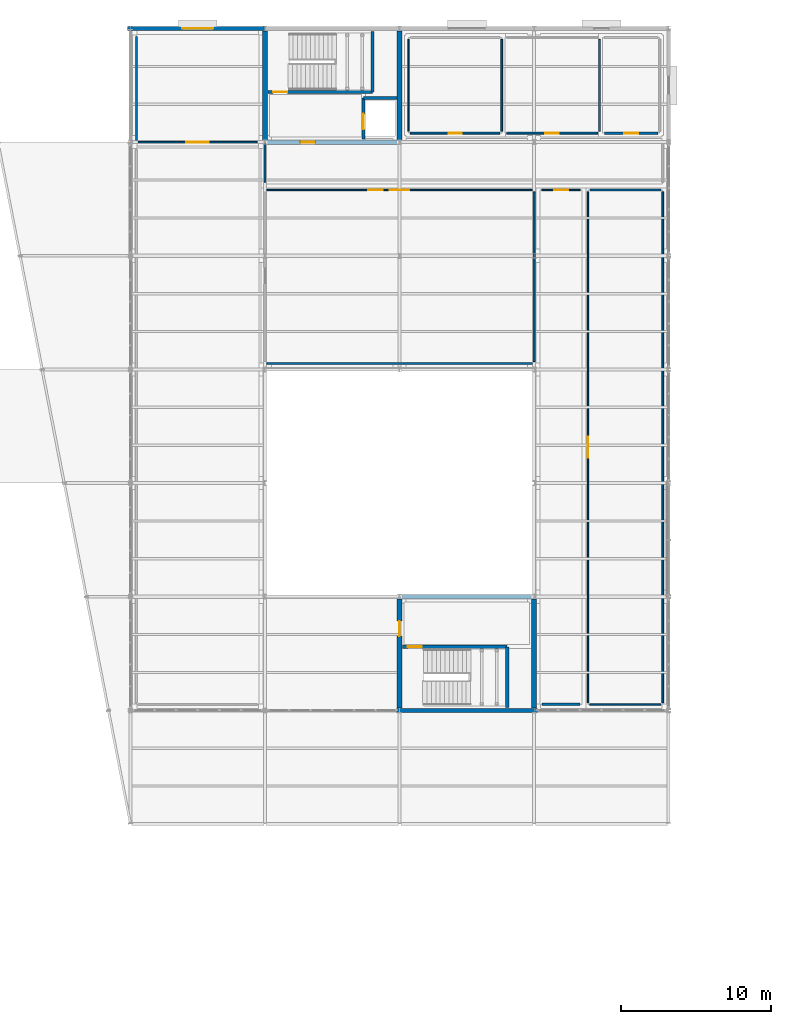
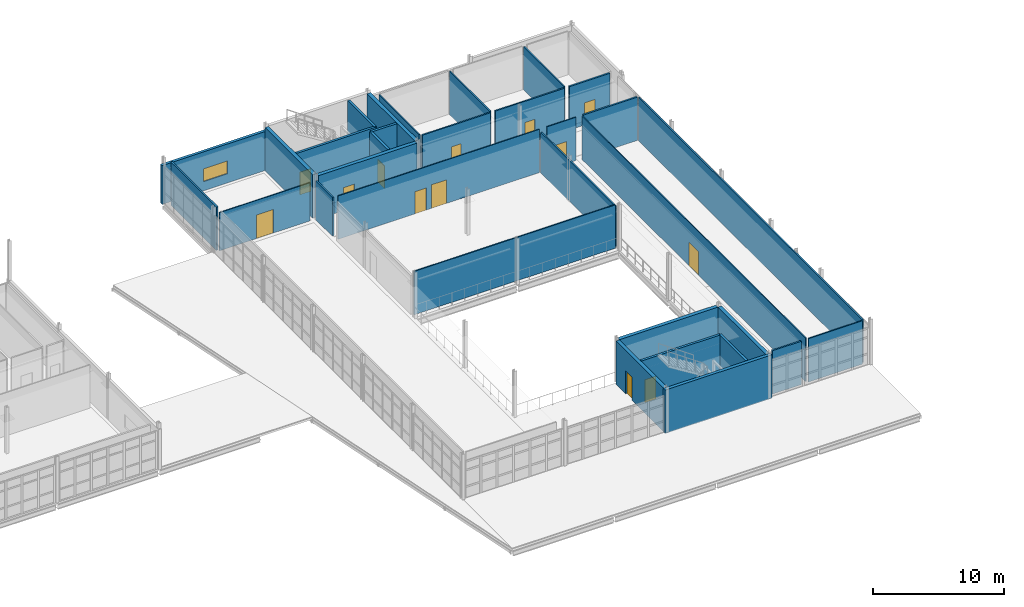
# One storey, part 90 of 96: 32 walls, 13 doors, 1 window, 14 openings.
"""IFC4 building model written with IfcOpenShell, lengths in metres."""

from ifc_helpers import new_model, si_unit, direction, frame, frame_2d, origin, place, context, subcontext, project, spatial, rectangle, extrude, material, layer, layer_set, type_object, element, fill, save


model = new_model("IFC4")

# Units and contexts
model_context = context("Model", 3, precision=1e-05, world=origin(), true_north=direction((0.0, 1.0)))
body_context = subcontext(model_context, "Body", "Model", "MODEL_VIEW")
ifc_project = project(units=[si_unit("LENGTHUNIT", "METRE"), si_unit("AREAUNIT", "SQUARE_METRE"), si_unit("VOLUMEUNIT", "CUBIC_METRE"), si_unit("PLANEANGLEUNIT", "RADIAN"), si_unit("MASSUNIT", "GRAM", prefix="KILO")], contexts=[model_context])

# Site, building, storey
site_placement = place(None, origin())
site = spatial("IfcSite", under=ifc_project, at=site_placement, CompositionType="ELEMENT")
building_placement = place(site_placement, origin())
building = spatial("IfcBuilding", under=site, at=building_placement, Name="Caisbarro Railhouse Central Library", CompositionType="ELEMENT")
storey_placement = place(building_placement, frame((0.0, 0.0, 13.679931640625)))
storey = spatial("IfcBuildingStorey", under=building, at=storey_placement, Name="L03", CompositionType="ELEMENT", Elevation=13.679931640625)

# Wall, opening, door
ifc_material_1 = material(Name="Concrete C40", Category="concrete")
ifc_layer_1 = layer(ifc_material_1, 0.320068359375, Name="Concrete C40")
ifc_layer_set_1 = layer_set([ifc_layer_1], Name="Concrete C40")
wall_type_1 = type_object("IfcWallType", Name="WAL-CW32", PredefinedType="SHEAR", material=ifc_layer_set_1)
wall_1_placement = place(storey_placement, frame((126.159912109375, 106.39990234375, 0.0), z_axis=(0.0, 0.0, 1.0), x_axis=(1.0, 0.0, 0.0)))
wall_1 = element("IfcWall", 1, at=wall_1_placement, inside=storey, type_object=wall_type_1, Name="CW32 RC core shear wall L03 #49", PredefinedType="SHEAR", context=body_context, shape_type="SweptSolid", body=[
    extrude(rectangle(XDim=8.68017578125, YDim=0.320068359375, at=frame_2d((4.340087890625, 0.0))), origin(), (0.0, 0.0, 1.0), 4.0400390625),
])
opening_1_placement = place(wall_1_placement, frame((2.199951171875, 0.0, 0.0)))
opening_1 = element("IfcOpeningElement", 2, at=opening_1_placement, cuts=wall_1, Name="Opening FD05", PredefinedType="OPENING", context=body_context, shape_type="SweptSolid", body=[
    extrude(rectangle(XDim=1.0, YDim=2.14990234375, at=frame_2d((0.5, 1.074951171875))), frame((0.0, 0.169921875, 0.0), z_axis=(0.0, -1.0, 0.0), x_axis=(1.0, 0.0, 0.0)), (0.0, 0.0, 1.0), 0.340087890625),
])
ifc_material_2 = material(Name="Fire-rated painted galvanised steel", Category="steel")
door_type_1 = type_object("IfcDoorType", Name="DR-FD05", OperationType="NOTDEFINED", PredefinedType="DOOR", material=ifc_material_2)
door_1_placement = place(opening_1_placement, origin())
door_1 = element("IfcDoor", 3, at=door_1_placement, inside=storey, type_object=door_type_1, Name="Core K3 Lobby Door FD05 L03-096", OperationType="SINGLE_SWING_RIGHT", OverallHeight=2.14990234375, OverallWidth=1.0, PredefinedType="DOOR", context=body_context, shape_type="SweptSolid", body=[
    extrude(rectangle(XDim=1.0, YDim=2.14990234375, at=frame_2d((0.5, 1.074951171875))), frame((0.0, 0.02490234375, 0.0), z_axis=(0.0, -1.0, 0.0), x_axis=(1.0, 0.0, 0.0)), (0.0, 0.0, 1.0), 0.050048828125),
])
fill(opening_1, door_1)

# Walls
for number, where, z_axis, x_axis, name in (
    (4, (126.0, 106.56005859375, 0.0), (0.0, 0.0, 1.0), (0.0, 1.0, 0.0), "CW32 RC core shear wall L03 #50"),
    (5, (135.0, 106.56005859375, 0.0), (0.0, 0.0, 1.0), (0.0, 1.0, 0.0), "CW32 RC core shear wall L03 #51"),
):
    element("IfcWall", number, at=place(storey_placement, frame(where, z_axis=z_axis, x_axis=x_axis)), inside=storey, type_object=wall_type_1, Name=name, PredefinedType="SHEAR", context=body_context, shape_type="SweptSolid", body=[
        extrude(rectangle(XDim=7.280029296875, YDim=0.320068359375, at=frame_2d((3.64013671875, 0.0))), origin(), (0.0, 0.0, 1.0), 4.0400390625),
    ])
wall_2_placement = place(storey_placement, frame((135.159912109375, 76.0, 0.0), z_axis=(0.0, 0.0, 1.0), x_axis=(1.0, 0.0, 0.0)))
element("IfcWall", 6, at=wall_2_placement, inside=storey, type_object=wall_type_1, Name="CW32 RC core shear wall L03 #102", PredefinedType="SHEAR", context=body_context, shape_type="SweptSolid", body=[
    extrude(rectangle(XDim=8.68017578125, YDim=0.320068359375, at=frame_2d((4.340087890625, 0.0))), origin(), (0.0, 0.0, 1.0), 4.0400390625),
])

# Wall, opening, door
wall_3_placement = place(storey_placement, frame((135.0, 68.56005859375, 0.0), z_axis=(0.0, 0.0, 1.0), x_axis=(0.0, 1.0, 0.0)))
wall_3 = element("IfcWall", 7, at=wall_3_placement, inside=storey, type_object=wall_type_1, Name="CW32 RC core shear wall L03 #103", PredefinedType="SHEAR", context=body_context, shape_type="SweptSolid", body=[
    extrude(rectangle(XDim=7.280029296875, YDim=0.320068359375, at=frame_2d((3.64013671875, 0.0))), origin(), (0.0, 0.0, 1.0), 4.0400390625),
])
opening_2_placement = place(wall_3_placement, frame((4.800048828125, 0.0, 0.0)))
opening_2 = element("IfcOpeningElement", 8, at=opening_2_placement, cuts=wall_3, Name="Opening FD05", PredefinedType="OPENING", context=body_context, shape_type="SweptSolid", body=[
    extrude(rectangle(XDim=1.0, YDim=2.14990234375, at=frame_2d((0.5, 1.074951171875))), frame((0.0, 0.169921875, 0.0), z_axis=(0.0, -1.0, 0.0), x_axis=(1.0, 0.0, 0.0)), (0.0, 0.0, 1.0), 0.340087890625),
])
door_2_placement = place(opening_2_placement, origin())
door_2 = element("IfcDoor", 9, at=door_2_placement, inside=storey, type_object=door_type_1, Name="Core K7 Lobby Door FD05 L03-134", OperationType="SINGLE_SWING_LEFT", OverallHeight=2.14990234375, OverallWidth=1.0, PredefinedType="DOOR", context=body_context, shape_type="SweptSolid", body=[
    extrude(rectangle(XDim=1.0, YDim=2.14990234375, at=frame_2d((0.5, 1.074951171875))), frame((0.0, 0.02490234375, 0.0), z_axis=(0.0, -1.0, 0.0), x_axis=(1.0, 0.0, 0.0)), (0.0, 0.0, 1.0), 0.050048828125),
])
fill(opening_2, door_2)

# Wall
wall_4_placement = place(storey_placement, frame((144.0, 68.56005859375, 0.0), z_axis=(0.0, 0.0, 1.0), x_axis=(0.0, 1.0, 0.0)))
element("IfcWall", 10, at=wall_4_placement, inside=storey, type_object=wall_type_1, Name="CW32 RC core shear wall L03 #104", PredefinedType="SHEAR", context=body_context, shape_type="SweptSolid", body=[
    extrude(rectangle(XDim=7.280029296875, YDim=0.320068359375, at=frame_2d((3.64013671875, 0.0))), origin(), (0.0, 0.0, 1.0), 4.0400390625),
])

# Wall, opening, window
ifc_material_3 = material(Name="Concrete C35 insulated architectural precast", Category="concrete")
ifc_layer_2 = layer(ifc_material_3, 0.239990234375, Name="Concrete C35 insulated architectural precast")
ifc_layer_set_2 = layer_set([ifc_layer_2], Name="Concrete C35 insulated architectural precast")
wall_type_2 = type_object("IfcWallType", Name="WAL-EW24", PredefinedType="STANDARD", material=ifc_layer_set_2)
wall_5_placement = place(storey_placement, frame((116.7900390625, 114.0, 0.0), z_axis=(0.0, 0.0, 1.0), x_axis=(1.0, 0.0, 0.0)))
wall_5 = element("IfcWall", 11, at=wall_5_placement, inside=storey, type_object=wall_type_2, Name="EW24 exterior wall L03 #218", PredefinedType="STANDARD", context=body_context, shape_type="SweptSolid", body=[
    extrude(rectangle(XDim=9.2099609375, YDim=0.239990234375, at=frame_2d((4.60498046875, 0.0))), origin(), (0.0, 0.0, 1.0), 3.631103515625),
])
opening_3_placement = place(wall_5_placement, frame((3.659912109375, 0.0, 0.85009765625)))
opening_3 = element("IfcOpeningElement", 12, at=opening_3_placement, cuts=wall_5, Name="Opening W08", PredefinedType="OPENING", context=body_context, shape_type="SweptSolid", body=[
    extrude(rectangle(XDim=2.10009765625, YDim=1.199951171875, at=frame_2d((1.050048828125, 0.60009765625))), frame((0.0, 0.1298828125, 0.0), z_axis=(0.0, -1.0, 0.0), x_axis=(1.0, 0.0, 0.0)), (0.0, 0.0, 1.0), 0.260009765625),
])
ifc_material_4 = material(Name="Double low-e laminated solar-control glass", Category="glass")
window_type = type_object("IfcWindowType", Name="WIN-W08", PartitioningType="SINGLE_PANEL", PredefinedType="WINDOW", material=ifc_material_4)
window_placement = place(opening_3_placement, origin())
window = element("IfcWindow", 13, at=window_placement, inside=storey, type_object=window_type, Name="W08 window L03-076", OverallHeight=1.199951171875, OverallWidth=2.10009765625, PartitioningType="SINGLE_PANEL", PredefinedType="WINDOW", context=body_context, shape_type="SweptSolid", body=[
    extrude(rectangle(XDim=2.10009765625, YDim=1.199951171875, at=frame_2d((1.050048828125, 0.60009765625))), frame((0.0, 0.030029296875, 0.0), z_axis=(0.0, -1.0, 0.0), x_axis=(1.0, 0.0, 0.0)), (0.0, 0.0, 1.0), 0.06005859375),
])
fill(opening_3, window)

# Wall
ifc_layer_3 = layer(ifc_material_1, 0.280029296875, Name="Concrete C40")
ifc_layer_set_3 = layer_set([ifc_layer_3], Name="Concrete C40")
wall_type_3 = type_object("IfcWallType", Name="WAL-EW28", PredefinedType="SOLIDWALL", material=ifc_layer_set_3)
wall_6_placement = place(storey_placement, frame((134.7900390625, 68.39990234375, 0.0), z_axis=(0.0, 0.0, 1.0), x_axis=(1.0, 0.0, 0.0)))
element("IfcWall", 14, at=wall_6_placement, inside=storey, type_object=wall_type_3, Name="EW28 exterior wall L03 #220", PredefinedType="SOLIDWALL", context=body_context, shape_type="SweptSolid", body=[
    extrude(rectangle(XDim=9.419921875, YDim=0.280029296875, at=frame_2d((4.7099609375, 0.0))), origin(), (0.0, 0.0, 1.0), 4.06005859375),
])

# Wall, openings, doors
ifc_material_5 = material(Name="Acoustic gypsum board on galvanised steel studs", Category="steel")
ifc_layer_4 = layer(ifc_material_5, 0.090087890625, Name="Acoustic gypsum board on galvanised steel studs")
ifc_layer_set_4 = layer_set([ifc_layer_4], Name="Acoustic gypsum board on galvanised steel studs")
wall_type_4 = type_object("IfcWallType", Name="WAL-IW09", PredefinedType="PARTITIONING", material=ifc_layer_set_4)
wall_7_placement = place(storey_placement, frame((126.1201171875, 103.199951171875, 0.0), z_axis=(0.0, 0.0, 1.0), x_axis=(1.0, 0.0, 0.0)))
wall_7 = element("IfcWall", 15, at=wall_7_placement, inside=storey, type_object=wall_type_4, Name="IW09 partition wall L03 #572", PredefinedType="PARTITIONING", context=body_context, shape_type="SweptSolid", body=[
    extrude(rectangle(XDim=17.759765625, YDim=0.090087890625, at=frame_2d((8.8798828125, 0.0))), origin(), (0.0, 0.0, 1.0), 4.0400390625),
])
opening_4_placement = place(wall_7_placement, frame((8.219970703125, 0.0, 0.0)))
opening_4 = element("IfcOpeningElement", 16, at=opening_4_placement, cuts=wall_7, Name="Opening ID46", PredefinedType="OPENING", context=body_context, shape_type="SweptSolid", body=[
    extrude(rectangle(XDim=1.320068359375, YDim=2.199951171875, at=frame_2d((0.66015625, 1.10009765625))), frame((0.0, 0.05517578125, 0.0), z_axis=(0.0, -1.0, 0.0), x_axis=(1.0, 0.0, 0.0)), (0.0, 0.0, 1.0), 0.110107421875),
])
opening_5_placement = place(wall_7_placement, frame((6.7900390625, 0.0, 0.0)))
opening_5 = element("IfcOpeningElement", 17, at=opening_5_placement, cuts=wall_7, Name="Opening ID04", PredefinedType="OPENING", context=body_context, shape_type="SweptSolid", body=[
    extrude(rectangle(XDim=0.97998046875, YDim=2.06005859375, at=frame_2d((0.489990234375, 1.030029296875))), frame((0.0, 0.05517578125, 0.0), z_axis=(0.0, -1.0, 0.0), x_axis=(1.0, 0.0, 0.0)), (0.0, 0.0, 1.0), 0.110107421875),
])
ifc_material_6 = material(Name="Solid-core tropical hardwood veneer", Category="wood")
door_type_2 = type_object("IfcDoorType", Name="DR-ID04", OperationType="NOTDEFINED", PredefinedType="DOOR", material=ifc_material_6)
door_3_placement = place(opening_5_placement, origin())
door_3 = element("IfcDoor", 18, at=door_3_placement, inside=storey, type_object=door_type_2, Name="Atrium North WC Corridor L03 Door ID04 L03-332", OperationType="SINGLE_SWING_RIGHT", OverallHeight=2.06005859375, OverallWidth=0.97998046875, PredefinedType="DOOR", context=body_context, shape_type="SweptSolid", body=[
    extrude(rectangle(XDim=0.97998046875, YDim=2.06005859375, at=frame_2d((0.489990234375, 1.030029296875))), frame((0.0, 0.02490234375, 0.0), z_axis=(0.0, -1.0, 0.0), x_axis=(1.0, 0.0, 0.0)), (0.0, 0.0, 1.0), 0.050048828125),
])
fill(opening_5, door_3)
door_type_3 = type_object("IfcDoorType", Name="DR-ID46", OperationType="NOTDEFINED", PredefinedType="DOOR", material=ifc_material_6)
door_4_placement = place(opening_4_placement, origin())
door_4 = element("IfcDoor", 19, at=door_4_placement, inside=storey, type_object=door_type_3, Name="Special Collections Reading Room Door ID46 L03-320", OperationType="SINGLE_SWING_RIGHT", OverallHeight=2.199951171875, OverallWidth=1.320068359375, PredefinedType="DOOR", context=body_context, shape_type="SweptSolid", body=[
    extrude(rectangle(XDim=1.320068359375, YDim=2.199951171875, at=frame_2d((0.66015625, 1.10009765625))), frame((0.0, 0.02490234375, 0.0), z_axis=(0.0, -1.0, 0.0), x_axis=(1.0, 0.0, 0.0)), (0.0, 0.0, 1.0), 0.050048828125),
])
fill(opening_4, door_4)

# Wall, opening, door
wall_8_placement = place(storey_placement, frame((147.60009765625, 68.919921875, 0.0), z_axis=(0.0, 0.0, 1.0), x_axis=(0.0, 1.0, 0.0)))
wall_8 = element("IfcWall", 20, at=wall_8_placement, inside=storey, type_object=wall_type_4, Name="IW09 partition wall L03 #576", PredefinedType="PARTITIONING", context=body_context, shape_type="SweptSolid", body=[
    extrude(rectangle(XDim=34.16015625, YDim=0.090087890625, at=frame_2d((17.080078125, 0.0))), origin(), (0.0, 0.0, 1.0), 4.0400390625),
])
opening_6_placement = place(wall_8_placement, frame((16.3701171875, 0.0, 0.0)))
opening_6 = element("IfcOpeningElement", 21, at=opening_6_placement, cuts=wall_8, Name="Opening ID47", PredefinedType="OPENING", context=body_context, shape_type="SweptSolid", body=[
    extrude(rectangle(XDim=1.419921875, YDim=2.199951171875, at=frame_2d((0.7099609375, 1.10009765625))), frame((0.0, 0.05517578125, 0.0), z_axis=(0.0, -1.0, 0.0), x_axis=(1.0, 0.0, 0.0)), (0.0, 0.0, 1.0), 0.110107421875),
])
door_type_4 = type_object("IfcDoorType", Name="DR-ID47", OperationType="NOTDEFINED", PredefinedType="DOOR", material=ifc_material_6)
door_5_placement = place(opening_6_placement, origin())
door_5 = element("IfcDoor", 22, at=door_5_placement, inside=storey, type_object=door_type_4, Name="Doctoral Research Suites L03 Door ID47 L03-321", OperationType="SINGLE_SWING_LEFT", OverallHeight=2.199951171875, OverallWidth=1.419921875, PredefinedType="DOOR", context=body_context, shape_type="SweptSolid", body=[
    extrude(rectangle(XDim=1.419921875, YDim=2.199951171875, at=frame_2d((0.7099609375, 1.10009765625))), frame((0.0, 0.02490234375, 0.0), z_axis=(0.0, -1.0, 0.0), x_axis=(1.0, 0.0, 0.0)), (0.0, 0.0, 1.0), 0.050048828125),
])
fill(opening_6, door_5)

wall_9_placement = place(storey_placement, frame((117.52001953125, 106.39990234375, 0.0), z_axis=(0.0, 0.0, 1.0), x_axis=(1.0, 0.0, 0.0)))
wall_9 = element("IfcWall", 23, at=wall_9_placement, inside=storey, type_object=wall_type_4, Name="IW09 partition wall L03 #580", PredefinedType="PARTITIONING", context=body_context, shape_type="SweptSolid", body=[
    extrude(rectangle(XDim=7.9599609375, YDim=0.090087890625, at=frame_2d((3.97998046875, 0.0))), origin(), (0.0, 0.0, 1.0), 3.55517578125),
])
opening_7_placement = place(wall_9_placement, frame((3.22998046875, 0.0, 0.0)))
opening_7 = element("IfcOpeningElement", 24, at=opening_7_placement, cuts=wall_9, Name="Opening ID48", PredefinedType="OPENING", context=body_context, shape_type="SweptSolid", body=[
    extrude(rectangle(XDim=1.5, YDim=2.199951171875, at=frame_2d((0.75, 1.10009765625))), frame((0.0, 0.05517578125, 0.0), z_axis=(0.0, -1.0, 0.0), x_axis=(1.0, 0.0, 0.0)), (0.0, 0.0, 1.0), 0.110107421875),
])
door_type_5 = type_object("IfcDoorType", Name="DR-ID48", OperationType="NOTDEFINED", PredefinedType="DOOR", material=ifc_material_6)
door_6_placement = place(opening_7_placement, origin())
door_6 = element("IfcDoor", 25, at=door_6_placement, inside=storey, type_object=door_type_5, Name="Manuscript Consultation Room Door ID48 L03-322", OperationType="SINGLE_SWING_RIGHT", OverallHeight=2.199951171875, OverallWidth=1.5, PredefinedType="DOOR", context=body_context, shape_type="SweptSolid", body=[
    extrude(rectangle(XDim=1.5, YDim=2.199951171875, at=frame_2d((0.75, 1.10009765625))), frame((0.0, 0.02490234375, 0.0), z_axis=(0.0, -1.0, 0.0), x_axis=(1.0, 0.0, 0.0)), (0.0, 0.0, 1.0), 0.050048828125),
])
fill(opening_7, door_6)

# Wall
wall_10_placement = place(storey_placement, frame((135.60009765625, 107.1201171875, 0.0), z_axis=(0.0, 0.0, 1.0), x_axis=(0.0, 1.0, 0.0)))
element("IfcWall", 26, at=wall_10_placement, inside=storey, type_object=wall_type_4, Name="IW09 partition wall L03 #584", PredefinedType="PARTITIONING", context=body_context, shape_type="SweptSolid", body=[
    extrude(rectangle(XDim=6.159912109375, YDim=0.090087890625, at=frame_2d((3.080078125, 0.0))), origin(), (0.0, 0.0, 1.0), 4.0400390625),
])

# Wall, opening, door
wall_11_placement = place(storey_placement, frame((144.52001953125, 103.199951171875, 0.0), z_axis=(0.0, 0.0, 1.0), x_axis=(1.0, 0.0, 0.0)))
wall_11 = element("IfcWall", 27, at=wall_11_placement, inside=storey, type_object=wall_type_4, Name="IW09 partition wall L03 #600", PredefinedType="PARTITIONING", context=body_context, shape_type="SweptSolid", body=[
    extrude(rectangle(XDim=2.56005859375, YDim=0.090087890625, at=frame_2d((1.280029296875, 0.0))), origin(), (0.0, 0.0, 1.0), 4.0400390625),
])
opening_8_placement = place(wall_11_placement, frame((0.81005859375, 0.0, 0.0)))
opening_8 = element("IfcOpeningElement", 28, at=opening_8_placement, cuts=wall_11, Name="Opening ID03", PredefinedType="OPENING", context=body_context, shape_type="SweptSolid", body=[
    extrude(rectangle(XDim=0.93994140625, YDim=2.06005859375, at=frame_2d((0.469970703125, 1.030029296875))), frame((0.0, 0.05517578125, 0.0), z_axis=(0.0, -1.0, 0.0), x_axis=(1.0, 0.0, 0.0)), (0.0, 0.0, 1.0), 0.110107421875),
])
door_type_6 = type_object("IfcDoorType", Name="DR-ID03", OperationType="NOTDEFINED", PredefinedType="DOOR", material=ifc_material_6)
door_7_placement = place(opening_8_placement, origin())
door_7 = element("IfcDoor", 29, at=door_7_placement, inside=storey, type_object=door_type_6, Name="Atrium East Corridor L03 Door ID03 L03-331", OperationType="SINGLE_SWING_LEFT", OverallHeight=2.06005859375, OverallWidth=0.93994140625, PredefinedType="DOOR", context=body_context, shape_type="SweptSolid", body=[
    extrude(rectangle(XDim=0.93994140625, YDim=2.06005859375, at=frame_2d((0.469970703125, 1.030029296875))), frame((0.0, 0.02490234375, 0.0), z_axis=(0.0, -1.0, 0.0), x_axis=(1.0, 0.0, 0.0)), (0.0, 0.0, 1.0), 0.050048828125),
])
fill(opening_8, door_7)

# Walls
ifc_layer_5 = layer(ifc_material_5, 0.110107421875, Name="Acoustic gypsum board on galvanised steel studs")
ifc_layer_set_5 = layer_set([ifc_layer_5], Name="Acoustic gypsum board on galvanised steel studs")
wall_type_5 = type_object("IfcWallType", Name="WAL-IW11", PredefinedType="PARTITIONING", material=ifc_layer_set_5)
wall_12_placement = place(storey_placement, frame((126.1201171875, 91.60009765625, 0.0), z_axis=(0.0, 0.0, 1.0), x_axis=(1.0, 0.0, 0.0)))
element("IfcWall", 30, at=wall_12_placement, inside=storey, type_object=wall_type_5, Name="IW11 partition wall L03 #575", PredefinedType="PARTITIONING", context=body_context, shape_type="SweptSolid", body=[
    extrude(rectangle(XDim=17.759765625, YDim=0.110107421875, at=frame_2d((8.8798828125, 0.0))), origin(), (0.0, 0.0, 1.0), 4.0400390625),
])
wall_13_placement = place(storey_placement, frame((147.719970703125, 68.800048828125, 0.0), z_axis=(0.0, 0.0, 1.0), x_axis=(1.0, 0.0, 0.0)))
element("IfcWall", 31, at=wall_13_placement, inside=storey, type_object=wall_type_5, Name="IW11 partition wall L03 #579", PredefinedType="PARTITIONING", context=body_context, shape_type="SweptSolid", body=[
    extrude(rectangle(XDim=4.760009765625, YDim=0.110107421875, at=frame_2d((2.3798828125, 0.0))), origin(), (0.0, 0.0, 1.0), 4.0400390625),
])
for number, where, z_axis, x_axis, name in (
    (32, (141.8359375, 107.1201171875, 0.0), (0.0, 0.0, 1.0), (0.0, 1.0, 0.0), "IW11 partition wall L03 #583"),
    (33, (148.3720703125, 107.1201171875, 0.0), (0.0, 0.0, 1.0), (0.0, 1.0, 0.0), "IW11 partition wall L03 #587"),
):
    element("IfcWall", number, at=place(storey_placement, frame(where, z_axis=z_axis, x_axis=x_axis)), inside=storey, type_object=wall_type_5, Name=name, PredefinedType="PARTITIONING", context=body_context, shape_type="SweptSolid", body=[
        extrude(rectangle(XDim=6.159912109375, YDim=0.110107421875, at=frame_2d((3.080078125, 0.0))), origin(), (0.0, 0.0, 1.0), 4.0400390625),
    ])
ifc_layer_6 = layer(ifc_material_5, 0.1298828125, Name="Acoustic gypsum board on galvanised steel studs")
ifc_layer_set_6 = layer_set([ifc_layer_6], Name="Acoustic gypsum board on galvanised steel studs")
wall_type_6 = type_object("IfcWallType", Name="WAL-IW13", PredefinedType="PARTITIONING", material=ifc_layer_set_6)
wall_14_placement = place(storey_placement, frame((144.0, 91.719970703125, 0.0), z_axis=(0.0, 0.0, 1.0), x_axis=(0.0, 1.0, 0.0)))
element("IfcWall", 34, at=wall_14_placement, inside=storey, type_object=wall_type_6, Name="IW13 partition wall L03 #574", PredefinedType="PARTITIONING", context=body_context, shape_type="SweptSolid", body=[
    extrude(rectangle(XDim=11.360107421875, YDim=0.1298828125, at=frame_2d((5.68017578125, 0.0))), origin(), (0.0, 0.0, 1.0), 3.7880859375),
])
wall_15_placement = place(storey_placement, frame((152.60009765625, 68.919921875, 0.0), z_axis=(0.0, 0.0, 1.0), x_axis=(0.0, 1.0, 0.0)))
element("IfcWall", 35, at=wall_15_placement, inside=storey, type_object=wall_type_6, Name="IW13 partition wall L03 #578", PredefinedType="PARTITIONING", context=body_context, shape_type="SweptSolid", body=[
    extrude(rectangle(XDim=34.16015625, YDim=0.1298828125, at=frame_2d((17.080078125, 0.0))), origin(), (0.0, 0.0, 1.0), 4.0400390625),
])

# Wall, opening, door
wall_16_placement = place(storey_placement, frame((135.719970703125, 107.0, 0.0), z_axis=(0.0, 0.0, 1.0), x_axis=(1.0, 0.0, 0.0)))
wall_16 = element("IfcWall", 36, at=wall_16_placement, inside=storey, type_object=wall_type_6, Name="IW13 partition wall L03 #582", PredefinedType="PARTITIONING", context=body_context, shape_type="SweptSolid", body=[
    extrude(rectangle(XDim=5.99609375, YDim=0.1298828125, at=frame_2d((2.998046875, 0.0))), origin(), (0.0, 0.0, 1.0), 4.0400390625),
])
opening_9_placement = place(wall_16_placement, frame((2.568115234375, 0.0, 0.0)))
opening_9 = element("IfcOpeningElement", 37, at=opening_9_placement, cuts=wall_16, Name="Opening ID01", PredefinedType="OPENING", context=body_context, shape_type="SweptSolid", body=[
    extrude(rectangle(XDim=0.860107421875, YDim=2.06005859375, at=frame_2d((0.43017578125, 1.030029296875))), frame((0.0, 0.074951171875, 0.0), z_axis=(0.0, -1.0, 0.0), x_axis=(1.0, 0.0, 0.0)), (0.0, 0.0, 1.0), 0.14990234375),
])
door_type_7 = type_object("IfcDoorType", Name="DR-ID01", OperationType="NOTDEFINED", PredefinedType="DOOR", material=ifc_material_6)
door_8_placement = place(opening_9_placement, origin())
door_8 = element("IfcDoor", 38, at=door_8_placement, inside=storey, type_object=door_type_7, Name="Male WC L03-V4 Door ID01 L03-323", OperationType="SINGLE_SWING_LEFT", OverallHeight=2.06005859375, OverallWidth=0.860107421875, PredefinedType="DOOR", context=body_context, shape_type="SweptSolid", body=[
    extrude(rectangle(XDim=0.860107421875, YDim=2.06005859375, at=frame_2d((0.43017578125, 1.030029296875))), frame((0.0, 0.02490234375, 0.0), z_axis=(0.0, -1.0, 0.0), x_axis=(1.0, 0.0, 0.0)), (0.0, 0.0, 1.0), 0.050048828125),
])
fill(opening_9, door_8)

wall_17_placement = place(storey_placement, frame((142.156005859375, 107.0, 0.0), z_axis=(0.0, 0.0, 1.0), x_axis=(1.0, 0.0, 0.0)))
wall_17 = element("IfcWall", 39, at=wall_17_placement, inside=storey, type_object=wall_type_6, Name="IW13 partition wall L03 #586", PredefinedType="PARTITIONING", context=body_context, shape_type="SweptSolid", body=[
    extrude(rectangle(XDim=6.095947265625, YDim=0.1298828125, at=frame_2d((3.0478515625, 0.0))), origin(), (0.0, 0.0, 1.0), 4.0400390625),
])
opening_10_placement = place(wall_17_placement, frame((2.597900390625, 0.0, 0.0)))
opening_10 = element("IfcOpeningElement", 40, at=opening_10_placement, cuts=wall_17, Name="Opening ID02", PredefinedType="OPENING", context=body_context, shape_type="SweptSolid", body=[
    extrude(rectangle(XDim=0.89990234375, YDim=2.06005859375, at=frame_2d((0.449951171875, 1.030029296875))), frame((0.0, 0.074951171875, 0.0), z_axis=(0.0, -1.0, 0.0), x_axis=(1.0, 0.0, 0.0)), (0.0, 0.0, 1.0), 0.14990234375),
])
door_type_8 = type_object("IfcDoorType", Name="DR-ID02", OperationType="NOTDEFINED", PredefinedType="DOOR", material=ifc_material_6)
door_9_placement = place(opening_10_placement, origin())
door_9 = element("IfcDoor", 41, at=door_9_placement, inside=storey, type_object=door_type_8, Name="Female WC L03-V4 Door ID02 L03-324", OperationType="SINGLE_SWING_RIGHT", OverallHeight=2.06005859375, OverallWidth=0.89990234375, PredefinedType="DOOR", context=body_context, shape_type="SweptSolid", body=[
    extrude(rectangle(XDim=0.89990234375, YDim=2.06005859375, at=frame_2d((0.449951171875, 1.030029296875))), frame((0.0, 0.02490234375, 0.0), z_axis=(0.0, -1.0, 0.0), x_axis=(1.0, 0.0, 0.0)), (0.0, 0.0, 1.0), 0.050048828125),
])
fill(opening_10, door_9)

# Walls
wall_18_placement = place(storey_placement, frame((126.0, 103.719970703125, 0.0), z_axis=(0.0, 0.0, 1.0), x_axis=(0.0, 1.0, 0.0)))
element("IfcWall", 42, at=wall_18_placement, inside=storey, type_object=wall_type_6, Name="IW13 partition wall L03 #602", PredefinedType="PARTITIONING", context=body_context, shape_type="SweptSolid", body=[
    extrude(rectangle(XDim=2.56005859375, YDim=0.1298828125, at=frame_2d((1.280029296875, 0.0))), origin(), (0.0, 0.0, 1.0), 3.631103515625),
])
ifc_layer_7 = layer(ifc_material_5, 0.14990234375, Name="Acoustic gypsum board on galvanised steel studs")
ifc_layer_set_7 = layer_set([ifc_layer_7], Name="Acoustic gypsum board on galvanised steel studs")
wall_type_7 = type_object("IfcWallType", Name="WAL-IW15", PredefinedType="PARTITIONING", material=ifc_layer_set_7)
wall_19_placement = place(storey_placement, frame((147.719970703125, 103.199951171875, 0.0), z_axis=(0.0, 0.0, 1.0), x_axis=(1.0, 0.0, 0.0)))
element("IfcWall", 43, at=wall_19_placement, inside=storey, type_object=wall_type_7, Name="IW15 partition wall L03 #577", PredefinedType="PARTITIONING", context=body_context, shape_type="SweptSolid", body=[
    extrude(rectangle(XDim=4.760009765625, YDim=0.14990234375, at=frame_2d((2.3798828125, 0.0))), origin(), (0.0, 0.0, 1.0), 4.0400390625),
])
wall_20_placement = place(storey_placement, frame((117.39990234375, 106.52001953125, 0.0), z_axis=(0.0, 0.0, 1.0), x_axis=(0.0, 1.0, 0.0)))
element("IfcWall", 44, at=wall_20_placement, inside=storey, type_object=wall_type_7, Name="IW15 partition wall L03 #581", PredefinedType="PARTITIONING", context=body_context, shape_type="SweptSolid", body=[
    extrude(rectangle(XDim=6.9599609375, YDim=0.14990234375, at=frame_2d((3.47998046875, 0.0))), origin(), (0.0, 0.0, 1.0), 4.0400390625),
])

# Wall, opening, door
wall_21_placement = place(storey_placement, frame((148.69189453125, 107.0, 0.0), z_axis=(0.0, 0.0, 1.0), x_axis=(1.0, 0.0, 0.0)))
wall_21 = element("IfcWall", 45, at=wall_21_placement, inside=storey, type_object=wall_type_7, Name="IW15 partition wall L03 #589", PredefinedType="PARTITIONING", context=body_context, shape_type="SweptSolid", body=[
    extrude(rectangle(XDim=3.588134765625, YDim=0.14990234375, at=frame_2d((1.7939453125, 0.0))), origin(), (0.0, 0.0, 1.0), 4.0400390625),
])
opening_11_placement = place(wall_21_placement, frame((1.323974609375, 0.0, 0.0)))
opening_11 = element("IfcOpeningElement", 46, at=opening_11_placement, cuts=wall_21, Name="Opening ID03", PredefinedType="OPENING", context=body_context, shape_type="SweptSolid", body=[
    extrude(rectangle(XDim=0.93994140625, YDim=2.06005859375, at=frame_2d((0.469970703125, 1.030029296875))), frame((0.0, 0.0849609375, 0.0), z_axis=(0.0, -1.0, 0.0), x_axis=(1.0, 0.0, 0.0)), (0.0, 0.0, 1.0), 0.169921875),
])
door_10_placement = place(opening_11_placement, origin())
door_10 = element("IfcDoor", 47, at=door_10_placement, inside=storey, type_object=door_type_6, Name="Accessible WC L03-V4 Door ID03 L03-325", OperationType="SINGLE_SWING_LEFT", OverallHeight=2.06005859375, OverallWidth=0.93994140625, PredefinedType="DOOR", context=body_context, shape_type="SweptSolid", body=[
    extrude(rectangle(XDim=0.93994140625, YDim=2.06005859375, at=frame_2d((0.469970703125, 1.030029296875))), frame((0.0, 0.02490234375, 0.0), z_axis=(0.0, -1.0, 0.0), x_axis=(1.0, 0.0, 0.0)), (0.0, 0.0, 1.0), 0.050048828125),
])
fill(opening_11, door_10)

# Wall
wall_22_placement = place(storey_placement, frame((144.52001953125, 68.800048828125, 0.0), z_axis=(0.0, 0.0, 1.0), x_axis=(1.0, 0.0, 0.0)))
element("IfcWall", 48, at=wall_22_placement, inside=storey, type_object=wall_type_7, Name="IW15 partition wall L03 #601", PredefinedType="PARTITIONING", context=body_context, shape_type="SweptSolid", body=[
    extrude(rectangle(XDim=2.56005859375, YDim=0.14990234375, at=frame_2d((1.280029296875, 0.0))), origin(), (0.0, 0.0, 1.0), 4.0400390625),
])

# Wall, opening, door
ifc_layer_8 = layer(ifc_material_1, 0.2099609375, Name="Concrete C40")
ifc_layer_set_8 = layer_set([ifc_layer_8], Name="Concrete C40")
wall_type_8 = type_object("IfcWallType", Name="WAL-SW21", PredefinedType="SOLIDWALL", material=ifc_layer_set_8)
wall_23_placement = place(storey_placement, frame((126.199951171875, 109.75, 0.0), z_axis=(0.0, 0.0, 1.0), x_axis=(1.0, 0.0, 0.0)))
wall_23 = element("IfcWall", 49, at=wall_23_placement, inside=storey, type_object=wall_type_8, Name="SW21 core shaft wall L03 #111", PredefinedType="SOLIDWALL", context=body_context, shape_type="SweptSolid", body=[
    extrude(rectangle(XDim=7.0, YDim=0.2099609375, at=frame_2d((3.5, 0.0))), origin(), (0.0, 0.0, 1.0), 4.0400390625),
])
opening_12_placement = place(wall_23_placement, frame((0.35009765625, 0.0, 0.0)))
opening_12 = element("IfcOpeningElement", 50, at=opening_12_placement, cuts=wall_23, Name="Opening FD01", PredefinedType="OPENING", context=body_context, shape_type="SweptSolid", body=[
    extrude(rectangle(XDim=0.949951171875, YDim=2.1201171875, at=frame_2d((0.47509765625, 1.06005859375))), frame((0.0, 0.114990234375, 0.0), z_axis=(0.0, -1.0, 0.0), x_axis=(1.0, 0.0, 0.0)), (0.0, 0.0, 1.0), 0.22998046875),
])
door_type_9 = type_object("IfcDoorType", Name="DR-FD01", OperationType="NOTDEFINED", PredefinedType="DOOR", material=ifc_material_2)
door_11_placement = place(opening_12_placement, origin())
door_11 = element("IfcDoor", 51, at=door_11_placement, inside=storey, type_object=door_type_9, Name="Stair ST-03 Fire Door FD01 L03-094", OperationType="SINGLE_SWING_LEFT", OverallHeight=2.1201171875, OverallWidth=0.949951171875, PredefinedType="DOOR", context=body_context, shape_type="SweptSolid", body=[
    extrude(rectangle(XDim=0.949951171875, YDim=2.1201171875, at=frame_2d((0.47509765625, 1.06005859375))), frame((0.0, 0.02490234375, 0.0), z_axis=(0.0, -1.0, 0.0), x_axis=(1.0, 0.0, 0.0)), (0.0, 0.0, 1.0), 0.050048828125),
])
fill(opening_12, door_11)

# Wall
wall_24_placement = place(storey_placement, frame((133.199951171875, 109.75, 0.0), z_axis=(0.0, 0.0, 1.0), x_axis=(0.0, 1.0, 0.0)))
element("IfcWall", 52, at=wall_24_placement, inside=storey, type_object=wall_type_8, Name="SW21 core shaft wall L03 #112", PredefinedType="SOLIDWALL", context=body_context, shape_type="SweptSolid", body=[
    extrude(rectangle(XDim=4.050048828125, YDim=0.2099609375, at=frame_2d((2.02490234375, 0.0))), origin(), (0.0, 0.0, 1.0), 4.0400390625),
])

# Wall, opening, door
wall_25_placement = place(storey_placement, frame((132.580078125, 106.60009765625, 0.0), z_axis=(0.0, 0.0, 1.0), x_axis=(0.0, 1.0, 0.0)))
wall_25 = element("IfcWall", 53, at=wall_25_placement, inside=storey, type_object=wall_type_8, Name="SW21 core shaft wall L03 #113", PredefinedType="SOLIDWALL", context=body_context, shape_type="SweptSolid", body=[
    extrude(rectangle(XDim=2.75, YDim=0.2099609375, at=frame_2d((1.375, 0.0))), origin(), (0.0, 0.0, 1.0), 4.0400390625),
])
opening_13_placement = place(wall_25_placement, frame((0.64990234375, 0.0, 0.0)))
opening_13 = element("IfcOpeningElement", 54, at=opening_13_placement, cuts=wall_25, Name="Opening LD02", PredefinedType="OPENING", context=body_context, shape_type="SweptSolid", body=[
    extrude(rectangle(XDim=1.0400390625, YDim=2.10009765625, at=frame_2d((0.52001953125, 1.050048828125))), frame((0.0, 0.114990234375, 0.0), z_axis=(0.0, -1.0, 0.0), x_axis=(1.0, 0.0, 0.0)), (0.0, 0.0, 1.0), 0.22998046875),
])
ifc_material_7 = material(Name="Brushed stainless steel elevator cab", Category="steel")
door_type_10 = type_object("IfcDoorType", Name="DR-LD02", OperationType="NOTDEFINED", PredefinedType="DOOR", material=ifc_material_7)
door_12_placement = place(opening_13_placement, origin())
door_12 = element("IfcDoor", 55, at=door_12_placement, inside=storey, type_object=door_type_10, Name="Lift PL-02 Landing Door LD02 L03-095", OperationType="SLIDING_TO_LEFT", OverallHeight=2.10009765625, OverallWidth=1.0400390625, PredefinedType="DOOR", context=body_context, shape_type="SweptSolid", body=[
    extrude(rectangle(XDim=1.0400390625, YDim=2.10009765625, at=frame_2d((0.52001953125, 1.050048828125))), frame((0.0, 0.02490234375, 0.0), z_axis=(0.0, -1.0, 0.0), x_axis=(1.0, 0.0, 0.0)), (0.0, 0.0, 1.0), 0.050048828125),
])
fill(opening_13, door_12)

# Wall
wall_26_placement = place(storey_placement, frame((132.580078125, 109.35009765625, 0.0), z_axis=(0.0, 0.0, 1.0), x_axis=(1.0, 0.0, 0.0)))
element("IfcWall", 56, at=wall_26_placement, inside=storey, type_object=wall_type_8, Name="SW21 core shaft wall L03 #114", PredefinedType="SOLIDWALL", context=body_context, shape_type="SweptSolid", body=[
    extrude(rectangle(XDim=2.239990234375, YDim=0.2099609375, at=frame_2d((1.1201171875, 0.0))), origin(), (0.0, 0.0, 1.0), 4.0400390625),
])

# Wall, opening, door
wall_27_placement = place(storey_placement, frame((135.199951171875, 72.64990234375, 0.0), z_axis=(0.0, 0.0, 1.0), x_axis=(1.0, 0.0, 0.0)))
wall_27 = element("IfcWall", 57, at=wall_27_placement, inside=storey, type_object=wall_type_8, Name="SW21 core shaft wall L03 #157", PredefinedType="SOLIDWALL", context=body_context, shape_type="SweptSolid", body=[
    extrude(rectangle(XDim=7.0, YDim=0.2099609375, at=frame_2d((3.5, 0.0))), origin(), (0.0, 0.0, 1.0), 4.0400390625),
])
opening_14_placement = place(wall_27_placement, frame((0.35009765625, 0.0, 0.0)))
opening_14 = element("IfcOpeningElement", 58, at=opening_14_placement, cuts=wall_27, Name="Opening FD01", PredefinedType="OPENING", context=body_context, shape_type="SweptSolid", body=[
    extrude(rectangle(XDim=0.949951171875, YDim=2.1201171875, at=frame_2d((0.47509765625, 1.06005859375))), frame((0.0, 0.114990234375, 0.0), z_axis=(0.0, -1.0, 0.0), x_axis=(1.0, 0.0, 0.0)), (0.0, 0.0, 1.0), 0.22998046875),
])
door_13_placement = place(opening_14_placement, origin())
door_13 = element("IfcDoor", 59, at=door_13_placement, inside=storey, type_object=door_type_9, Name="Stair ST-07 Fire Door FD01 L03-133", OperationType="SINGLE_SWING_RIGHT", OverallHeight=2.1201171875, OverallWidth=0.949951171875, PredefinedType="DOOR", context=body_context, shape_type="SweptSolid", body=[
    extrude(rectangle(XDim=0.949951171875, YDim=2.1201171875, at=frame_2d((0.47509765625, 1.06005859375))), frame((0.0, 0.02490234375, 0.0), z_axis=(0.0, -1.0, 0.0), x_axis=(1.0, 0.0, 0.0)), (0.0, 0.0, 1.0), 0.050048828125),
])
fill(opening_14, door_13)

# Wall
wall_28_placement = place(storey_placement, frame((142.199951171875, 68.60009765625, 0.0), z_axis=(0.0, 0.0, 1.0), x_axis=(0.0, 1.0, 0.0)))
element("IfcWall", 60, at=wall_28_placement, inside=storey, type_object=wall_type_8, Name="SW21 core shaft wall L03 #158", PredefinedType="SOLIDWALL", context=body_context, shape_type="SweptSolid", body=[
    extrude(rectangle(XDim=4.0498046875, YDim=0.2099609375, at=frame_2d((2.02490234375, 0.0))), origin(), (0.0, 0.0, 1.0), 4.0400390625),
])

save(model, "model.ifc")
